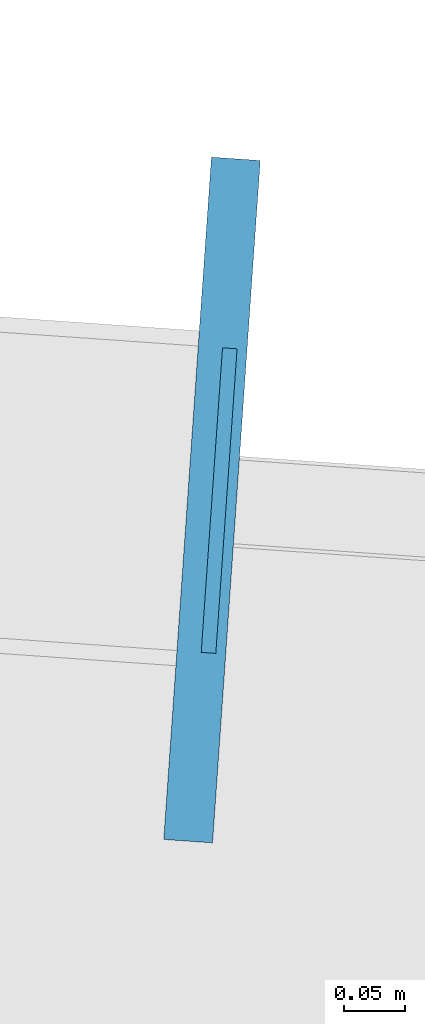
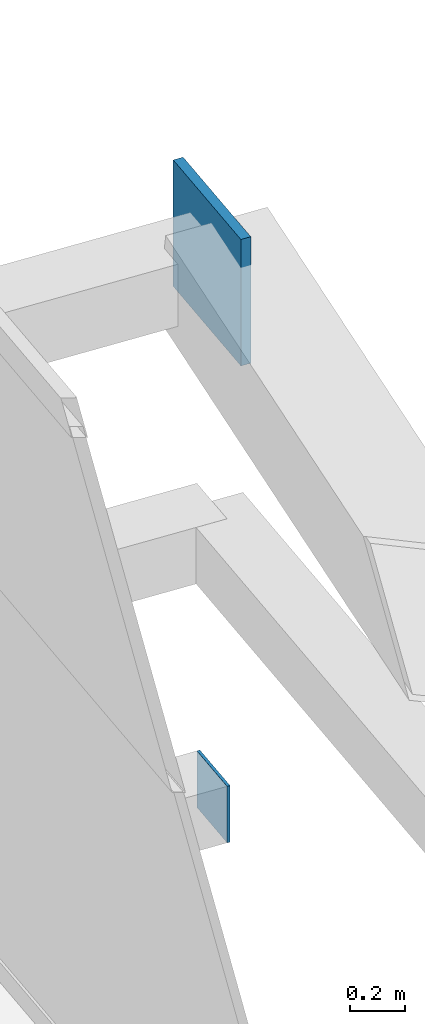
# One storey, part 31 of 39: 2 plates.
"""IFC4 building model written with IfcOpenShell, lengths in metres."""

from ifc_helpers import new_model, si_unit, direction, frame, origin, origin_2d, place, context, subcontext, project, spatial, rectangle, extrude, source, transform, mapped, material, layer, layer_set, type_object, element, save


model = new_model("IFC4")

# Units and contexts
model_context = context("Model", 3, precision=1e-05, world=origin(), true_north=direction((0.0, 1.0)))
body_context = subcontext(model_context, "Body", "Model", "MODEL_VIEW")
ifc_project = project(units=[si_unit("LENGTHUNIT", "METRE"), si_unit("AREAUNIT", "SQUARE_METRE"), si_unit("VOLUMEUNIT", "CUBIC_METRE"), si_unit("PLANEANGLEUNIT", "RADIAN"), si_unit("MASSUNIT", "GRAM", prefix="KILO")], contexts=[model_context])

# Site, building, storey
site_placement = place(None, origin())
site = spatial("IfcSite", under=ifc_project, at=site_placement, CompositionType="ELEMENT")
building_placement = place(site_placement, origin())
building = spatial("IfcBuilding", under=site, at=building_placement, Name="Taldren Reach Tower", CompositionType="ELEMENT")
storey_placement = place(building_placement, frame((0.0, 0.0, 161.35009765625)))
storey = spatial("IfcBuildingStorey", under=building, at=storey_placement, Name="L49", CompositionType="ELEMENT", Elevation=161.35009765625)

# Plates
ifc_material_1 = material(Name="Steel Gr 450 (C450L0)", Category="steel")
ifc_layer_1 = layer(ifc_material_1, 0.0400390625)
ifc_layer_set_1 = layer_set([ifc_layer_1], Name="Steel Gr 450 (C450L0)")
plate_type_1 = type_object("IfcPlateType", Name="PL-GUSSET-40", PredefinedType="SHEET", material=ifc_layer_set_1)
shared_shape_1 = source(origin(), body_context, "Body", "SweptSolid", [
    extrude(rectangle(XDim=0.56005859375, YDim=0.0400390625, at=origin_2d()), origin(), (0.0, 0.0, 1.0), 0.56005859375),
])
plate_1_placement = place(storey_placement, frame((62.87744140625, 30.992431640625, 2.309814453125), z_axis=(0.0, 0.0, 1.0), x_axis=(0.069756473744, 0.99756405026, 0.0)))
element("IfcPlate", 1, at=plate_1_placement, inside=storey, type_object=plate_type_1, Name="Exoskeleton star-node gusset plate B3-E3 L49", PredefinedType="SHEET", context=body_context, shape_type="MappedRepresentation", body=[
    mapped(shared_shape_1, transform((0.0, 0.0, 0.0), scale=1.0)),
])
ifc_material_2 = material(Name="Steel Gr 350 (C350L0)", Category="steel")
ifc_layer_2 = layer(ifc_material_2, 0.011962890625)
ifc_layer_set_2 = layer_set([ifc_layer_2], Name="Steel Gr 350 (C350L0)")
plate_type_2 = type_object("IfcPlateType", Name="PL-CAP-250", PredefinedType="SHEET", material=ifc_layer_set_2)
shared_shape_2 = source(origin(), body_context, "Body", "SweptSolid", [
    extrude(rectangle(XDim=0.011962890625, YDim=0.25, at=origin_2d()), origin(), (0.0, 0.0, 1.0), 0.25),
])
plate_2_placement = place(storey_placement, frame((62.88330078125, 30.991943359375, 0.094970703125), z_axis=(0.0, 0.0, 1.0), x_axis=(0.99756405026, -0.069756473744, 0.0)))
element("IfcPlate", 2, at=plate_2_placement, inside=storey, type_object=plate_type_2, Name="Tie strut end cap plate B3-E3 L49", PredefinedType="SHEET", context=body_context, shape_type="MappedRepresentation", body=[
    mapped(shared_shape_2, transform((0.0, 0.0, 0.0), scale=1.0)),
])

save(model, "model.ifc")
